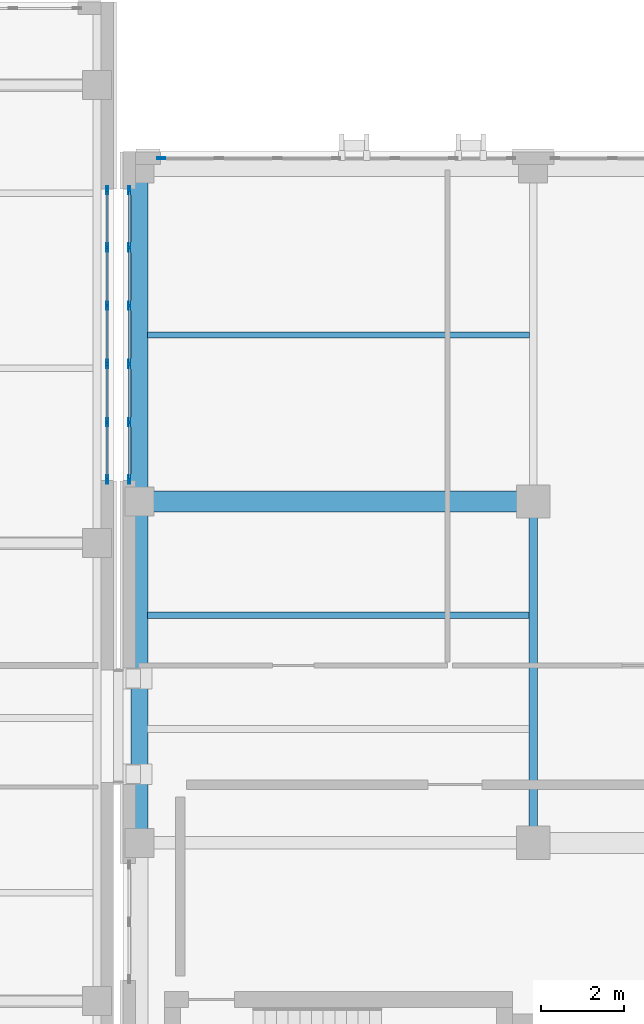
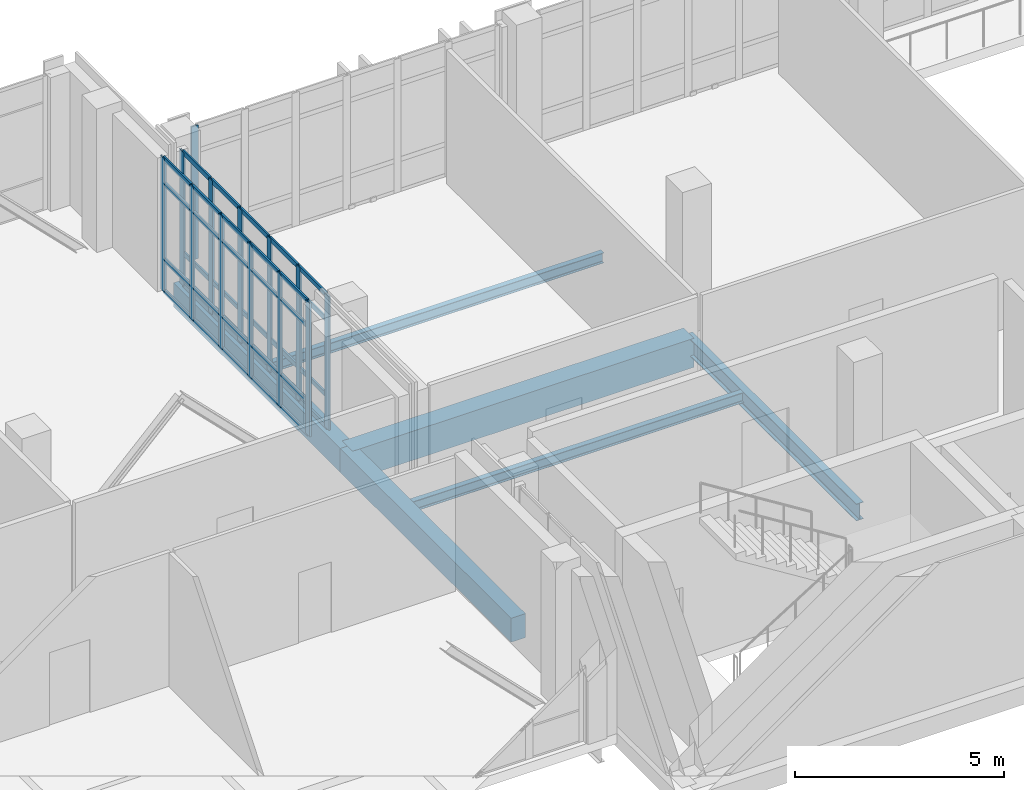
# One storey, part 13 of 193: 53 members, 6 beams, 3 elements without a shape of their own.
"""IFC4 building model written with IfcOpenShell, lengths in metres."""

import ifcopenshell
import ifcopenshell.guid

model = None  # the IFC model being written
_history = None  # IfcOwnerHistory: only IFC2X3 demands one
_inside = {}  # id of a spatial element -> (the spatial element, [elements in it])
_under = {}  # id of a project, library or spatial element -> (it, [spatial elements below it])
_declared = {}  # id of a project -> (the project, [libraries it declares])
_typed = {}  # id of a type object -> (the type object, [elements of that type])
_made_of = {}  # id of a material, layer set ... -> (it, [elements and type objects made of it])


def new_model(schema):
    """Start an empty IFC model of exactly this schema.

    Asked for "IFC4X3", IfcOpenShell would pick the latest addendum, in which some entities
    have other attributes; the version numbers below select the first issue.
    IFC2X3 requires an IfcOwnerHistory on every rooted entity: one is made here for all.
    """
    global model, _history
    if schema == "IFC4X3":
        model = ifcopenshell.file(schema_version=(4, 3, 0, 0))
    else:
        model = ifcopenshell.file(schema=schema)
    _inside.clear()
    _under.clear()
    _declared.clear()
    _typed.clear()
    _made_of.clear()
    _history = None
    if model.schema == "IFC2X3":
        org = make("IfcOrganization", Name="unknown")
        user = make(
            "IfcPersonAndOrganization",
            ThePerson=make("IfcPerson", FamilyName="unknown"),
            TheOrganization=org,
        )
        app = make(
            "IfcApplication",
            ApplicationDeveloper=org,
            Version="unknown",
            ApplicationFullName="unknown",
            ApplicationIdentifier="unknown",
        )
        _history = make(
            "IfcOwnerHistory",
            OwningUser=user,
            OwningApplication=app,
            ChangeAction="ADDED",
            CreationDate=0,
        )
    return model


def make(cls, **values):
    """One entity of the class cls with the attributes given. An attribute that is None is left unset."""
    return model.create_entity(
        cls, **{name: value for name, value in values.items() if value is not None}
    )


def rooted(cls, **values):
    """An entity with a GlobalId (a new one), such as an element, a storey or a relation."""
    return make(cls, GlobalId=ifcopenshell.guid.new(), OwnerHistory=_history, **values)


def si_unit(unit_type, name, prefix=None):
    """IfcSIUnit, for example si_unit("LENGTHUNIT", "METRE", prefix="MILLI")."""
    return make("IfcSIUnit", UnitType=unit_type, Prefix=prefix, Name=name)


def assignment(units):
    """IfcUnitAssignment: the units of a project."""
    return None if units is None else make("IfcUnitAssignment", Units=units)


def point(xyz):
    """IfcCartesianPoint."""
    return None if xyz is None else make("IfcCartesianPoint", Coordinates=xyz)


def direction(xyz):
    """IfcDirection."""
    return None if xyz is None else make("IfcDirection", DirectionRatios=xyz)


def frame(location, z_axis=None, x_axis=None):
    """IfcAxis2Placement3D, a coordinate frame: its origin and axes. An axis left out is left unset."""
    return make(
        "IfcAxis2Placement3D",
        Location=point(location),
        Axis=direction(z_axis),
        RefDirection=direction(x_axis),
    )


def frame_2d(location, x_axis=None):
    """IfcAxis2Placement2D, a coordinate frame in the plane: its origin and x axis."""
    return make(
        "IfcAxis2Placement2D", Location=point(location), RefDirection=direction(x_axis)
    )


def origin():
    """The frame at (0, 0, 0) with its axes left unset."""
    return frame((0.0, 0.0, 0.0))


def origin_2d():
    """The frame at (0, 0) in the plane with its x axis left unset."""
    return frame_2d((0.0, 0.0))


def place(relative_to, where):
    """IfcLocalPlacement: puts the frame where relative to a parent placement (None: the world)."""
    return make(
        "IfcLocalPlacement", PlacementRelTo=relative_to, RelativePlacement=where
    )


def context(
    kind, dimensions, precision=None, world=None, true_north=None, identifier=None
):
    """IfcGeometricRepresentationContext, for example the 3D "Model" context."""
    return make(
        "IfcGeometricRepresentationContext",
        ContextIdentifier=identifier,
        ContextType=kind,
        CoordinateSpaceDimension=dimensions,
        Precision=precision,
        WorldCoordinateSystem=world,
        TrueNorth=true_north,
    )


def subcontext(parent, identifier, kind, view, scale=None):
    """IfcGeometricRepresentationSubContext, for example "Body" below "Model"."""
    return make(
        "IfcGeometricRepresentationSubContext",
        ContextIdentifier=identifier,
        ContextType=kind,
        ParentContext=parent,
        TargetScale=scale,
        TargetView=view,
    )


def project(units=None, contexts=None):
    """IfcProject with its units and contexts."""
    return rooted(
        "IfcProject",
        Name="project",
        RepresentationContexts=contexts,
        UnitsInContext=assignment(units),
    )


def spatial(cls, under=None, at=None, **own):
    """A site, building, storey or space (cls), placed at a placement, below another one or the project."""
    s = rooted(cls, ObjectPlacement=at, **own)
    if under is not None:
        _under.setdefault(under.id(), (under, []))[1].append(s)
    return s


def profile(cls, at=None, kind="AREA", **sizes):
    """A parametric profile (cls). Its sizes go by their IFC names, for example OverallWidth=200.0."""
    return make(cls, ProfileType=kind, Position=at, **sizes)


def rectangle(**sizes):
    """IfcRectangleProfileDef."""
    return profile("IfcRectangleProfileDef", **sizes)


def hollow_rectangle(**sizes):
    """IfcRectangleHollowProfileDef."""
    return profile("IfcRectangleHollowProfileDef", **sizes)


def i_section(**sizes):
    """IfcIShapeProfileDef."""
    return profile("IfcIShapeProfileDef", **sizes)


def extrude(swept, where, along, depth):
    """IfcExtrudedAreaSolid: the profile swept, set in the frame where, extruded along a direction by depth."""
    return make(
        "IfcExtrudedAreaSolid",
        SweptArea=swept,
        Position=where,
        ExtrudedDirection=direction(along),
        Depth=depth,
    )


def shape(context_of_items, identifier, shape_type, items):
    """IfcShapeRepresentation: the items that make up one representation, for example the "Body"."""
    return make(
        "IfcShapeRepresentation",
        ContextOfItems=context_of_items,
        RepresentationIdentifier=identifier,
        RepresentationType=shape_type,
        Items=items,
    )


def material(Name=None, Category=None):
    """IfcMaterial."""
    return make("IfcMaterial", Name=Name, Category=Category)


def layer(
    of_material, thickness, ventilated=None, Name=None, Category=None, Priority=None
):
    """IfcMaterialLayer: one layer of a wall or slab, of a material (None: an air gap)."""
    return make(
        "IfcMaterialLayer",
        Material=of_material,
        LayerThickness=thickness,
        IsVentilated=ventilated,
        Name=Name,
        Category=Category,
        Priority=Priority,
    )


def layer_set(layers, Name=None):
    """IfcMaterialLayerSet."""
    return make("IfcMaterialLayerSet", MaterialLayers=layers, LayerSetName=Name)


def material_profile(
    of_material, cross_section, Name=None, Category=None, Priority=None
):
    """IfcMaterialProfile: a cross section and its material."""
    return make(
        "IfcMaterialProfile",
        Name=Name,
        Material=of_material,
        Profile=cross_section,
        Priority=Priority,
        Category=Category,
    )


def profile_set(profiles, Name=None, composite=None):
    """IfcMaterialProfileSet."""
    return make(
        "IfcMaterialProfileSet",
        Name=Name,
        MaterialProfiles=profiles,
        CompositeProfile=composite,
    )


def made_of(thing, what):
    """Note that an element or type object is made of a material, layer set ...; save() writes the relation."""
    if what is not None:
        _made_of.setdefault(what.id(), (what, []))[1].append(thing)
    return thing


def type_object(cls, material=None, **own):
    """A type object (cls), such as IfcWallType, which elements share."""
    return made_of(rooted(cls, **own), material)


def element(
    cls,
    number,
    at=None,
    inside=None,
    cuts=None,
    type_object=None,
    material=None,
    context=None,
    identifier="Body",
    shape_type=None,
    held_by="IfcProductDefinitionShape",
    body=None,
    shapes=None,
    **own,
):
    """One element of the class cls, such as IfcWall. Its Tag is "e" and its number.

    at: its placement. inside: the storey or other place that contains it. cuts: it is an
    opening in that element (IfcRelVoidsElement). A single representation is given by context,
    identifier, shape_type and body (its items); several are given by shapes. held_by: the class
    of the entity that holds the representations. save() writes the other relations.
    """
    e = rooted(cls, Tag="e%d" % number, ObjectPlacement=at, **own)
    if body is not None:
        shapes = [shape(context, identifier, shape_type, body)]
    if shapes is not None:
        e.Representation = make(held_by, Representations=shapes)
    if inside is not None:
        _inside.setdefault(inside.id(), (inside, []))[1].append(e)
    if cuts is not None:
        rooted(
            "IfcRelVoidsElement", RelatingBuildingElement=cuts, RelatedOpeningElement=e
        )
    if type_object is not None:
        _typed.setdefault(type_object.id(), (type_object, []))[1].append(e)
    return made_of(e, material)


def aggregate(whole, parts):
    """IfcRelAggregates: a whole, such as a stair, and the parts it consists of."""
    return rooted("IfcRelAggregates", RelatingObject=whole, RelatedObjects=parts)


def save(model, path):
    """Write the relations noted so far, then the file.

    IfcRelAggregates (storeys below a building ...), IfcRelContainedInSpatialStructure (elements
    in a storey), IfcRelDefinesByType, IfcRelAssociatesMaterial and IfcRelDeclares: one each for
    every whole, place, type object, material and project.
    """
    for whole, parts in _under.values():
        aggregate(whole, parts)
    for where, things in _inside.values():
        rooted(
            "IfcRelContainedInSpatialStructure",
            RelatedElements=things,
            RelatingStructure=where,
        )
    for kind, things in _typed.values():
        rooted("IfcRelDefinesByType", RelatedObjects=things, RelatingType=kind)
    for what, things in _made_of.values():
        rooted("IfcRelAssociatesMaterial", RelatedObjects=things, RelatingMaterial=what)
    for by, libraries in _declared.values():
        rooted("IfcRelDeclares", RelatingContext=by, RelatedDefinitions=libraries)
    model.write(path)


model = new_model("IFC4")

# Units and contexts
model_context = context("Model", 3, precision=1e-05, world=origin(), true_north=direction((0.0, 1.0)))
body_context = subcontext(model_context, "Body", "Model", "MODEL_VIEW")
ifc_project = project(units=[si_unit("LENGTHUNIT", "METRE"), si_unit("AREAUNIT", "SQUARE_METRE"), si_unit("VOLUMEUNIT", "CUBIC_METRE"), si_unit("PLANEANGLEUNIT", "RADIAN"), si_unit("MASSUNIT", "GRAM", prefix="KILO")], contexts=[model_context])

# Site, building, storey
site_placement = place(None, origin())
site = spatial("IfcSite", under=ifc_project, at=site_placement, CompositionType="ELEMENT")
building_placement = place(site_placement, origin())
building = spatial("IfcBuilding", under=site, at=building_placement, Name="Qalavern Law Courts", CompositionType="ELEMENT")
storey_placement = place(building_placement, frame((0.0, 0.0, 10.199951171875)))
storey = spatial("IfcBuildingStorey", under=building, at=storey_placement, Name="L02", CompositionType="ELEMENT", Elevation=10.199951171875)

# Curtain wall, members
ifc_material_1 = material(Name="Anodised aluminium and insulated glazing", Category="aluminium")
ifc_layer_1 = layer(ifc_material_1, 0.199951171875)
ifc_layer_set_1 = layer_set([ifc_layer_1], Name="Anodised aluminium and insulated glazing")
curtain_wall_type_1 = type_object("IfcCurtainWallType", Name="ENV-CW-FOYER", PredefinedType="USERDEFINED", material=ifc_layer_set_1)
curtain_wall_1_placement = place(storey_placement, origin())
curtain_wall_1 = element("IfcCurtainWall", 1, at=curtain_wall_1_placement, inside=storey, type_object=curtain_wall_type_1, Name="V1 unitised curtain wall L02 east 1", ObjectType="UNITISED CURTAIN WALL", PredefinedType="USERDEFINED")
ifc_material_2 = material(Name="Anodised aluminium", Category="aluminium")
ifc_material_profile_1 = material_profile(ifc_material_2, hollow_rectangle(XDim=0.048095703125, YDim=0.199951171875, WallThickness=0.00439453125, at=origin_2d()), Name="ALU MULLION 48x200")
ifc_profile_set_1 = profile_set([ifc_material_profile_1], Name="Anodised aluminium")
member_type_1 = type_object("IfcMemberType", Name="ENV-CWM-48x200", PredefinedType="MULLION", material=ifc_profile_set_1)
member_1_placement = place(storey_placement, frame((33.844970703125, 22.52392578125, 0.0), z_axis=(0.0, 0.0, 1.0), x_axis=(-1.0, 0.0, 0.0)))
member_1 = element("IfcMember", 2, at=member_1_placement, type_object=member_type_1, Name="CW-01 mullion 1", PredefinedType="MULLION", context=body_context, shape_type="SweptSolid", body=[
    extrude(hollow_rectangle(XDim=0.048095703125, YDim=0.199951171875, WallThickness=0.00439453125, at=origin_2d()), origin(), (0.0, 0.0, 1.0), 3.9150390625),
])
member_2_placement = place(storey_placement, frame((33.844970703125, 23.89990234375, 0.0), z_axis=(0.0, 0.0, 1.0), x_axis=(-1.0, 0.0, 0.0)))
member_2 = element("IfcMember", 3, at=member_2_placement, type_object=member_type_1, Name="CW-01 mullion 2", PredefinedType="MULLION", context=body_context, shape_type="SweptSolid", body=[
    extrude(hollow_rectangle(XDim=0.048095703125, YDim=0.199951171875, WallThickness=0.00439453125, at=origin_2d()), origin(), (0.0, 0.0, 1.0), 3.9150390625),
])
member_3_placement = place(storey_placement, frame((33.844970703125, 25.300048828125, 0.0), z_axis=(0.0, 0.0, 1.0), x_axis=(-1.0, 0.0, 0.0)))
member_3 = element("IfcMember", 4, at=member_3_placement, type_object=member_type_1, Name="CW-01 mullion 3", PredefinedType="MULLION", context=body_context, shape_type="SweptSolid", body=[
    extrude(hollow_rectangle(XDim=0.048095703125, YDim=0.199951171875, WallThickness=0.00439453125, at=origin_2d()), origin(), (0.0, 0.0, 1.0), 3.9150390625),
])
member_4_placement = place(storey_placement, frame((33.844970703125, 26.699951171875, 0.0), z_axis=(0.0, 0.0, 1.0), x_axis=(-1.0, 0.0, 0.0)))
member_4 = element("IfcMember", 5, at=member_4_placement, type_object=member_type_1, Name="CW-01 mullion 4", PredefinedType="MULLION", context=body_context, shape_type="SweptSolid", body=[
    extrude(hollow_rectangle(XDim=0.048095703125, YDim=0.199951171875, WallThickness=0.00439453125, at=origin_2d()), origin(), (0.0, 0.0, 1.0), 3.9150390625),
])
member_5_placement = place(storey_placement, frame((33.844970703125, 28.10009765625, 0.0), z_axis=(0.0, 0.0, 1.0), x_axis=(-1.0, 0.0, 0.0)))
member_5 = element("IfcMember", 6, at=member_5_placement, type_object=member_type_1, Name="CW-01 mullion 5", PredefinedType="MULLION", context=body_context, shape_type="SweptSolid", body=[
    extrude(hollow_rectangle(XDim=0.048095703125, YDim=0.199951171875, WallThickness=0.00439453125, at=origin_2d()), origin(), (0.0, 0.0, 1.0), 3.9150390625),
])
member_6_placement = place(storey_placement, frame((33.844970703125, 29.47607421875, 0.0), z_axis=(0.0, 0.0, 1.0), x_axis=(-1.0, 0.0, 0.0)))
member_6 = element("IfcMember", 7, at=member_6_placement, type_object=member_type_1, Name="CW-01 mullion 6", PredefinedType="MULLION", context=body_context, shape_type="SweptSolid", body=[
    extrude(hollow_rectangle(XDim=0.048095703125, YDim=0.199951171875, WallThickness=0.00439453125, at=origin_2d()), origin(), (0.0, 0.0, 1.0), 3.9150390625),
])

# Curtain wall, member
ifc_layer_2 = layer(ifc_material_1, 0.18505859375)
ifc_layer_set_2 = layer_set([ifc_layer_2], Name="Anodised aluminium and insulated glazing")
curtain_wall_type_2 = type_object("IfcCurtainWallType", Name="ENV-CW-HALL", PredefinedType="USERDEFINED", material=ifc_layer_set_2)
curtain_wall_2_placement = place(storey_placement, origin())
curtain_wall_2 = element("IfcCurtainWall", 8, at=curtain_wall_2_placement, inside=storey, type_object=curtain_wall_type_2, Name="V2 unitised curtain wall L02 north 6", ObjectType="UNITISED CURTAIN WALL", PredefinedType="USERDEFINED")
member_7_placement = place(storey_placement, frame((35.14404296875, 30.2451171875, 0.0), z_axis=(0.0, 0.0, 1.0), x_axis=(0.0, -1.0, 0.0)))
member_7 = element("IfcMember", 9, at=member_7_placement, type_object=member_type_1, Name="CW-02 mullion 7", PredefinedType="MULLION", context=body_context, shape_type="SweptSolid", body=[
    extrude(hollow_rectangle(XDim=0.048095703125, YDim=0.199951171875, WallThickness=0.00439453125, at=origin_2d()), origin(), (0.0, 0.0, 1.0), 3.9150390625),
])
aggregate(curtain_wall_2, [member_7])

# Curtain wall, members
curtain_wall_3_placement = place(storey_placement, origin())
curtain_wall_3 = element("IfcCurtainWall", 10, at=curtain_wall_3_placement, inside=storey, type_object=curtain_wall_type_2, Name="V2 unitised curtain wall L02 west 1", ObjectType="UNITISED CURTAIN WALL", PredefinedType="USERDEFINED")
member_8_placement = place(storey_placement, frame((34.375, 29.47607421875, 0.0), z_axis=(0.0, 0.0, 1.0), x_axis=(1.0, 0.0, 0.0)))
member_8 = element("IfcMember", 11, at=member_8_placement, type_object=member_type_1, Name="CW-02 mullion 1", PredefinedType="MULLION", context=body_context, shape_type="SweptSolid", body=[
    extrude(hollow_rectangle(XDim=0.048095703125, YDim=0.199951171875, WallThickness=0.00439453125, at=origin_2d()), origin(), (0.0, 0.0, 1.0), 3.9150390625),
])
member_9_placement = place(storey_placement, frame((34.375, 28.10009765625, 0.0), z_axis=(0.0, 0.0, 1.0), x_axis=(1.0, 0.0, 0.0)))
member_9 = element("IfcMember", 12, at=member_9_placement, type_object=member_type_1, Name="CW-02 mullion 2", PredefinedType="MULLION", context=body_context, shape_type="SweptSolid", body=[
    extrude(hollow_rectangle(XDim=0.048095703125, YDim=0.199951171875, WallThickness=0.00439453125, at=origin_2d()), origin(), (0.0, 0.0, 1.0), 3.9150390625),
])
member_10_placement = place(storey_placement, frame((34.375, 26.699951171875, 0.0), z_axis=(0.0, 0.0, 1.0), x_axis=(1.0, 0.0, 0.0)))
member_10 = element("IfcMember", 13, at=member_10_placement, type_object=member_type_1, Name="CW-02 mullion 3", PredefinedType="MULLION", context=body_context, shape_type="SweptSolid", body=[
    extrude(hollow_rectangle(XDim=0.048095703125, YDim=0.199951171875, WallThickness=0.00439453125, at=origin_2d()), origin(), (0.0, 0.0, 1.0), 3.9150390625),
])
member_11_placement = place(storey_placement, frame((34.375, 25.300048828125, 0.0), z_axis=(0.0, 0.0, 1.0), x_axis=(1.0, 0.0, 0.0)))
member_11 = element("IfcMember", 14, at=member_11_placement, type_object=member_type_1, Name="CW-02 mullion 4", PredefinedType="MULLION", context=body_context, shape_type="SweptSolid", body=[
    extrude(hollow_rectangle(XDim=0.048095703125, YDim=0.199951171875, WallThickness=0.00439453125, at=origin_2d()), origin(), (0.0, 0.0, 1.0), 3.9150390625),
])
member_12_placement = place(storey_placement, frame((34.375, 23.89990234375, 0.0), z_axis=(0.0, 0.0, 1.0), x_axis=(1.0, 0.0, 0.0)))
member_12 = element("IfcMember", 15, at=member_12_placement, type_object=member_type_1, Name="CW-02 mullion 5", PredefinedType="MULLION", context=body_context, shape_type="SweptSolid", body=[
    extrude(hollow_rectangle(XDim=0.048095703125, YDim=0.199951171875, WallThickness=0.00439453125, at=origin_2d()), origin(), (0.0, 0.0, 1.0), 3.9150390625),
])
member_13_placement = place(storey_placement, frame((34.375, 22.52392578125, 0.0), z_axis=(0.0, 0.0, 1.0), x_axis=(1.0, 0.0, 0.0)))
member_13 = element("IfcMember", 16, at=member_13_placement, type_object=member_type_1, Name="CW-02 mullion 6", PredefinedType="MULLION", context=body_context, shape_type="SweptSolid", body=[
    extrude(hollow_rectangle(XDim=0.048095703125, YDim=0.199951171875, WallThickness=0.00439453125, at=origin_2d()), origin(), (0.0, 0.0, 1.0), 3.9150390625),
])

# Member
ifc_material_profile_2 = material_profile(ifc_material_2, hollow_rectangle(XDim=0.048095703125, YDim=0.139892578125, WallThickness=0.00390625, at=origin_2d()), Name="ALU TRANSOM 48x140")
ifc_profile_set_2 = profile_set([ifc_material_profile_2], Name="Anodised aluminium")
member_type_2 = type_object("IfcMemberType", Name="ENV-CWT-48x140", PredefinedType="USERDEFINED", material=ifc_profile_set_2)
member_14_placement = place(storey_placement, frame((33.844970703125, 22.548095703125, 0.024169921875), z_axis=(0.0, 1.0, 0.0), x_axis=(-1.0, 0.0, 0.0)))
member_14 = element("IfcMember", 17, at=member_14_placement, type_object=member_type_2, Name="CW-01 transom 1.1", ObjectType="TRANSOM", PredefinedType="USERDEFINED", context=body_context, shape_type="SweptSolid", body=[
    extrude(hollow_rectangle(XDim=0.048095703125, YDim=0.139892578125, WallThickness=0.00390625, at=origin_2d()), origin(), (0.0, 0.0, 1.0), 1.327880859375),
])

member_15_placement = place(storey_placement, frame((33.844970703125, 22.548095703125, 0.949951171875), z_axis=(0.0, 1.0, 0.0), x_axis=(-1.0, 0.0, 0.0)))
member_15 = element("IfcMember", 18, at=member_15_placement, type_object=member_type_2, Name="CW-01 transom 1.2", ObjectType="TRANSOM", PredefinedType="USERDEFINED", context=body_context, shape_type="SweptSolid", body=[
    extrude(hollow_rectangle(XDim=0.048095703125, YDim=0.139892578125, WallThickness=0.00390625, at=origin_2d()), origin(), (0.0, 0.0, 1.0), 1.327880859375),
])

member_16_placement = place(storey_placement, frame((33.844970703125, 22.548095703125, 3.1650390625), z_axis=(0.0, 1.0, 0.0), x_axis=(-1.0, 0.0, 0.0)))
member_16 = element("IfcMember", 19, at=member_16_placement, type_object=member_type_2, Name="CW-01 transom 1.3", ObjectType="TRANSOM", PredefinedType="USERDEFINED", context=body_context, shape_type="SweptSolid", body=[
    extrude(hollow_rectangle(XDim=0.048095703125, YDim=0.139892578125, WallThickness=0.00390625, at=origin_2d()), origin(), (0.0, 0.0, 1.0), 1.327880859375),
])

member_17_placement = place(storey_placement, frame((33.844970703125, 22.548095703125, 3.89111328125), z_axis=(0.0, 1.0, 0.0), x_axis=(-1.0, 0.0, 0.0)))
member_17 = element("IfcMember", 20, at=member_17_placement, type_object=member_type_2, Name="CW-01 transom 1.4", ObjectType="TRANSOM", PredefinedType="USERDEFINED", context=body_context, shape_type="SweptSolid", body=[
    extrude(hollow_rectangle(XDim=0.048095703125, YDim=0.139892578125, WallThickness=0.00390625, at=origin_2d()), origin(), (0.0, 0.0, 1.0), 1.327880859375),
])

member_18_placement = place(storey_placement, frame((33.844970703125, 23.924072265625, 0.024169921875), z_axis=(0.0, 1.0, 0.0), x_axis=(-1.0, 0.0, 0.0)))
member_18 = element("IfcMember", 21, at=member_18_placement, type_object=member_type_2, Name="CW-01 transom 2.1", ObjectType="TRANSOM", PredefinedType="USERDEFINED", context=body_context, shape_type="SweptSolid", body=[
    extrude(hollow_rectangle(XDim=0.048095703125, YDim=0.139892578125, WallThickness=0.00390625, at=origin_2d()), origin(), (0.0, 0.0, 1.0), 1.351806640625),
])

member_19_placement = place(storey_placement, frame((33.844970703125, 23.924072265625, 0.949951171875), z_axis=(0.0, 1.0, 0.0), x_axis=(-1.0, 0.0, 0.0)))
member_19 = element("IfcMember", 22, at=member_19_placement, type_object=member_type_2, Name="CW-01 transom 2.2", ObjectType="TRANSOM", PredefinedType="USERDEFINED", context=body_context, shape_type="SweptSolid", body=[
    extrude(hollow_rectangle(XDim=0.048095703125, YDim=0.139892578125, WallThickness=0.00390625, at=origin_2d()), origin(), (0.0, 0.0, 1.0), 1.351806640625),
])

member_20_placement = place(storey_placement, frame((33.844970703125, 23.924072265625, 3.1650390625), z_axis=(0.0, 1.0, 0.0), x_axis=(-1.0, 0.0, 0.0)))
member_20 = element("IfcMember", 23, at=member_20_placement, type_object=member_type_2, Name="CW-01 transom 2.3", ObjectType="TRANSOM", PredefinedType="USERDEFINED", context=body_context, shape_type="SweptSolid", body=[
    extrude(hollow_rectangle(XDim=0.048095703125, YDim=0.139892578125, WallThickness=0.00390625, at=origin_2d()), origin(), (0.0, 0.0, 1.0), 1.351806640625),
])

member_21_placement = place(storey_placement, frame((33.844970703125, 23.924072265625, 3.89111328125), z_axis=(0.0, 1.0, 0.0), x_axis=(-1.0, 0.0, 0.0)))
member_21 = element("IfcMember", 24, at=member_21_placement, type_object=member_type_2, Name="CW-01 transom 2.4", ObjectType="TRANSOM", PredefinedType="USERDEFINED", context=body_context, shape_type="SweptSolid", body=[
    extrude(hollow_rectangle(XDim=0.048095703125, YDim=0.139892578125, WallThickness=0.00390625, at=origin_2d()), origin(), (0.0, 0.0, 1.0), 1.351806640625),
])

member_22_placement = place(storey_placement, frame((33.844970703125, 25.323974609375, 0.024169921875), z_axis=(0.0, 1.0, 0.0), x_axis=(-1.0, 0.0, 0.0)))
member_22 = element("IfcMember", 25, at=member_22_placement, type_object=member_type_2, Name="CW-01 transom 3.1", ObjectType="TRANSOM", PredefinedType="USERDEFINED", context=body_context, shape_type="SweptSolid", body=[
    extrude(hollow_rectangle(XDim=0.048095703125, YDim=0.139892578125, WallThickness=0.00390625, at=origin_2d()), origin(), (0.0, 0.0, 1.0), 1.35205078125),
])

member_23_placement = place(storey_placement, frame((33.844970703125, 25.323974609375, 0.949951171875), z_axis=(0.0, 1.0, 0.0), x_axis=(-1.0, 0.0, 0.0)))
member_23 = element("IfcMember", 26, at=member_23_placement, type_object=member_type_2, Name="CW-01 transom 3.2", ObjectType="TRANSOM", PredefinedType="USERDEFINED", context=body_context, shape_type="SweptSolid", body=[
    extrude(hollow_rectangle(XDim=0.048095703125, YDim=0.139892578125, WallThickness=0.00390625, at=origin_2d()), origin(), (0.0, 0.0, 1.0), 1.35205078125),
])

member_24_placement = place(storey_placement, frame((33.844970703125, 25.323974609375, 3.1650390625), z_axis=(0.0, 1.0, 0.0), x_axis=(-1.0, 0.0, 0.0)))
member_24 = element("IfcMember", 27, at=member_24_placement, type_object=member_type_2, Name="CW-01 transom 3.3", ObjectType="TRANSOM", PredefinedType="USERDEFINED", context=body_context, shape_type="SweptSolid", body=[
    extrude(hollow_rectangle(XDim=0.048095703125, YDim=0.139892578125, WallThickness=0.00390625, at=origin_2d()), origin(), (0.0, 0.0, 1.0), 1.35205078125),
])

member_25_placement = place(storey_placement, frame((33.844970703125, 25.323974609375, 3.89111328125), z_axis=(0.0, 1.0, 0.0), x_axis=(-1.0, 0.0, 0.0)))
member_25 = element("IfcMember", 28, at=member_25_placement, type_object=member_type_2, Name="CW-01 transom 3.4", ObjectType="TRANSOM", PredefinedType="USERDEFINED", context=body_context, shape_type="SweptSolid", body=[
    extrude(hollow_rectangle(XDim=0.048095703125, YDim=0.139892578125, WallThickness=0.00390625, at=origin_2d()), origin(), (0.0, 0.0, 1.0), 1.35205078125),
])

member_26_placement = place(storey_placement, frame((33.844970703125, 26.72412109375, 0.024169921875), z_axis=(0.0, 1.0, 0.0), x_axis=(-1.0, 0.0, 0.0)))
member_26 = element("IfcMember", 29, at=member_26_placement, type_object=member_type_2, Name="CW-01 transom 4.1", ObjectType="TRANSOM", PredefinedType="USERDEFINED", context=body_context, shape_type="SweptSolid", body=[
    extrude(hollow_rectangle(XDim=0.048095703125, YDim=0.139892578125, WallThickness=0.00390625, at=origin_2d()), origin(), (0.0, 0.0, 1.0), 1.351806640625),
])

member_27_placement = place(storey_placement, frame((33.844970703125, 26.72412109375, 0.949951171875), z_axis=(0.0, 1.0, 0.0), x_axis=(-1.0, 0.0, 0.0)))
member_27 = element("IfcMember", 30, at=member_27_placement, type_object=member_type_2, Name="CW-01 transom 4.2", ObjectType="TRANSOM", PredefinedType="USERDEFINED", context=body_context, shape_type="SweptSolid", body=[
    extrude(hollow_rectangle(XDim=0.048095703125, YDim=0.139892578125, WallThickness=0.00390625, at=origin_2d()), origin(), (0.0, 0.0, 1.0), 1.351806640625),
])

member_28_placement = place(storey_placement, frame((33.844970703125, 26.72412109375, 3.1650390625), z_axis=(0.0, 1.0, 0.0), x_axis=(-1.0, 0.0, 0.0)))
member_28 = element("IfcMember", 31, at=member_28_placement, type_object=member_type_2, Name="CW-01 transom 4.3", ObjectType="TRANSOM", PredefinedType="USERDEFINED", context=body_context, shape_type="SweptSolid", body=[
    extrude(hollow_rectangle(XDim=0.048095703125, YDim=0.139892578125, WallThickness=0.00390625, at=origin_2d()), origin(), (0.0, 0.0, 1.0), 1.351806640625),
])

member_29_placement = place(storey_placement, frame((33.844970703125, 26.72412109375, 3.89111328125), z_axis=(0.0, 1.0, 0.0), x_axis=(-1.0, 0.0, 0.0)))
member_29 = element("IfcMember", 32, at=member_29_placement, type_object=member_type_2, Name="CW-01 transom 4.4", ObjectType="TRANSOM", PredefinedType="USERDEFINED", context=body_context, shape_type="SweptSolid", body=[
    extrude(hollow_rectangle(XDim=0.048095703125, YDim=0.139892578125, WallThickness=0.00390625, at=origin_2d()), origin(), (0.0, 0.0, 1.0), 1.351806640625),
])

member_30_placement = place(storey_placement, frame((33.844970703125, 28.1240234375, 0.024169921875), z_axis=(0.0, 1.0, 0.0), x_axis=(-1.0, 0.0, 0.0)))
member_30 = element("IfcMember", 33, at=member_30_placement, type_object=member_type_2, Name="CW-01 transom 5.1", ObjectType="TRANSOM", PredefinedType="USERDEFINED", context=body_context, shape_type="SweptSolid", body=[
    extrude(hollow_rectangle(XDim=0.048095703125, YDim=0.139892578125, WallThickness=0.00390625, at=origin_2d()), origin(), (0.0, 0.0, 1.0), 1.327880859375),
])

member_31_placement = place(storey_placement, frame((33.844970703125, 28.1240234375, 0.949951171875), z_axis=(0.0, 1.0, 0.0), x_axis=(-1.0, 0.0, 0.0)))
member_31 = element("IfcMember", 34, at=member_31_placement, type_object=member_type_2, Name="CW-01 transom 5.2", ObjectType="TRANSOM", PredefinedType="USERDEFINED", context=body_context, shape_type="SweptSolid", body=[
    extrude(hollow_rectangle(XDim=0.048095703125, YDim=0.139892578125, WallThickness=0.00390625, at=origin_2d()), origin(), (0.0, 0.0, 1.0), 1.327880859375),
])

member_32_placement = place(storey_placement, frame((33.844970703125, 28.1240234375, 3.1650390625), z_axis=(0.0, 1.0, 0.0), x_axis=(-1.0, 0.0, 0.0)))
member_32 = element("IfcMember", 35, at=member_32_placement, type_object=member_type_2, Name="CW-01 transom 5.3", ObjectType="TRANSOM", PredefinedType="USERDEFINED", context=body_context, shape_type="SweptSolid", body=[
    extrude(hollow_rectangle(XDim=0.048095703125, YDim=0.139892578125, WallThickness=0.00390625, at=origin_2d()), origin(), (0.0, 0.0, 1.0), 1.327880859375),
])

member_33_placement = place(storey_placement, frame((33.844970703125, 28.1240234375, 3.89111328125), z_axis=(0.0, 1.0, 0.0), x_axis=(-1.0, 0.0, 0.0)))
member_33 = element("IfcMember", 36, at=member_33_placement, type_object=member_type_2, Name="CW-01 transom 5.4", ObjectType="TRANSOM", PredefinedType="USERDEFINED", context=body_context, shape_type="SweptSolid", body=[
    extrude(hollow_rectangle(XDim=0.048095703125, YDim=0.139892578125, WallThickness=0.00390625, at=origin_2d()), origin(), (0.0, 0.0, 1.0), 1.327880859375),
])

aggregate(curtain_wall_1, [member_1, member_2, member_3, member_4, member_5, member_6, member_14, member_15, member_16, member_17, member_18, member_19, member_20, member_21, member_22, member_23, member_24, member_25, member_26, member_27, member_28, member_29, member_30, member_31, member_32, member_33])

member_34_placement = place(storey_placement, frame((34.375, 29.451904296875, 0.024169921875), z_axis=(0.0, -1.0, 0.0), x_axis=(1.0, 0.0, 0.0)))
member_34 = element("IfcMember", 37, at=member_34_placement, type_object=member_type_2, Name="CW-02 transom 1.1", ObjectType="TRANSOM", PredefinedType="USERDEFINED", context=body_context, shape_type="SweptSolid", body=[
    extrude(hollow_rectangle(XDim=0.048095703125, YDim=0.139892578125, WallThickness=0.00390625, at=origin_2d()), origin(), (0.0, 0.0, 1.0), 1.327880859375),
])

member_35_placement = place(storey_placement, frame((34.375, 29.451904296875, 0.949951171875), z_axis=(0.0, -1.0, 0.0), x_axis=(1.0, 0.0, 0.0)))
member_35 = element("IfcMember", 38, at=member_35_placement, type_object=member_type_2, Name="CW-02 transom 1.2", ObjectType="TRANSOM", PredefinedType="USERDEFINED", context=body_context, shape_type="SweptSolid", body=[
    extrude(hollow_rectangle(XDim=0.048095703125, YDim=0.139892578125, WallThickness=0.00390625, at=origin_2d()), origin(), (0.0, 0.0, 1.0), 1.327880859375),
])

member_36_placement = place(storey_placement, frame((34.375, 29.451904296875, 3.1650390625), z_axis=(0.0, -1.0, 0.0), x_axis=(1.0, 0.0, 0.0)))
member_36 = element("IfcMember", 39, at=member_36_placement, type_object=member_type_2, Name="CW-02 transom 1.3", ObjectType="TRANSOM", PredefinedType="USERDEFINED", context=body_context, shape_type="SweptSolid", body=[
    extrude(hollow_rectangle(XDim=0.048095703125, YDim=0.139892578125, WallThickness=0.00390625, at=origin_2d()), origin(), (0.0, 0.0, 1.0), 1.327880859375),
])

member_37_placement = place(storey_placement, frame((34.375, 29.451904296875, 3.89111328125), z_axis=(0.0, -1.0, 0.0), x_axis=(1.0, 0.0, 0.0)))
member_37 = element("IfcMember", 40, at=member_37_placement, type_object=member_type_2, Name="CW-02 transom 1.4", ObjectType="TRANSOM", PredefinedType="USERDEFINED", context=body_context, shape_type="SweptSolid", body=[
    extrude(hollow_rectangle(XDim=0.048095703125, YDim=0.139892578125, WallThickness=0.00390625, at=origin_2d()), origin(), (0.0, 0.0, 1.0), 1.327880859375),
])

member_38_placement = place(storey_placement, frame((34.375, 28.075927734375, 0.024169921875), z_axis=(0.0, -1.0, 0.0), x_axis=(1.0, 0.0, 0.0)))
member_38 = element("IfcMember", 41, at=member_38_placement, type_object=member_type_2, Name="CW-02 transom 2.1", ObjectType="TRANSOM", PredefinedType="USERDEFINED", context=body_context, shape_type="SweptSolid", body=[
    extrude(hollow_rectangle(XDim=0.048095703125, YDim=0.139892578125, WallThickness=0.00390625, at=origin_2d()), origin(), (0.0, 0.0, 1.0), 1.351806640625),
])

member_39_placement = place(storey_placement, frame((34.375, 28.075927734375, 0.949951171875), z_axis=(0.0, -1.0, 0.0), x_axis=(1.0, 0.0, 0.0)))
member_39 = element("IfcMember", 42, at=member_39_placement, type_object=member_type_2, Name="CW-02 transom 2.2", ObjectType="TRANSOM", PredefinedType="USERDEFINED", context=body_context, shape_type="SweptSolid", body=[
    extrude(hollow_rectangle(XDim=0.048095703125, YDim=0.139892578125, WallThickness=0.00390625, at=origin_2d()), origin(), (0.0, 0.0, 1.0), 1.351806640625),
])

member_40_placement = place(storey_placement, frame((34.375, 28.075927734375, 3.1650390625), z_axis=(0.0, -1.0, 0.0), x_axis=(1.0, 0.0, 0.0)))
member_40 = element("IfcMember", 43, at=member_40_placement, type_object=member_type_2, Name="CW-02 transom 2.3", ObjectType="TRANSOM", PredefinedType="USERDEFINED", context=body_context, shape_type="SweptSolid", body=[
    extrude(hollow_rectangle(XDim=0.048095703125, YDim=0.139892578125, WallThickness=0.00390625, at=origin_2d()), origin(), (0.0, 0.0, 1.0), 1.351806640625),
])

member_41_placement = place(storey_placement, frame((34.375, 28.075927734375, 3.89111328125), z_axis=(0.0, -1.0, 0.0), x_axis=(1.0, 0.0, 0.0)))
member_41 = element("IfcMember", 44, at=member_41_placement, type_object=member_type_2, Name="CW-02 transom 2.4", ObjectType="TRANSOM", PredefinedType="USERDEFINED", context=body_context, shape_type="SweptSolid", body=[
    extrude(hollow_rectangle(XDim=0.048095703125, YDim=0.139892578125, WallThickness=0.00390625, at=origin_2d()), origin(), (0.0, 0.0, 1.0), 1.351806640625),
])

member_42_placement = place(storey_placement, frame((34.375, 26.676025390625, 0.024169921875), z_axis=(0.0, -1.0, 0.0), x_axis=(1.0, 0.0, 0.0)))
member_42 = element("IfcMember", 45, at=member_42_placement, type_object=member_type_2, Name="CW-02 transom 3.1", ObjectType="TRANSOM", PredefinedType="USERDEFINED", context=body_context, shape_type="SweptSolid", body=[
    extrude(hollow_rectangle(XDim=0.048095703125, YDim=0.139892578125, WallThickness=0.00390625, at=origin_2d()), origin(), (0.0, 0.0, 1.0), 1.35205078125),
])

member_43_placement = place(storey_placement, frame((34.375, 26.676025390625, 0.949951171875), z_axis=(0.0, -1.0, 0.0), x_axis=(1.0, 0.0, 0.0)))
member_43 = element("IfcMember", 46, at=member_43_placement, type_object=member_type_2, Name="CW-02 transom 3.2", ObjectType="TRANSOM", PredefinedType="USERDEFINED", context=body_context, shape_type="SweptSolid", body=[
    extrude(hollow_rectangle(XDim=0.048095703125, YDim=0.139892578125, WallThickness=0.00390625, at=origin_2d()), origin(), (0.0, 0.0, 1.0), 1.35205078125),
])

member_44_placement = place(storey_placement, frame((34.375, 26.676025390625, 3.1650390625), z_axis=(0.0, -1.0, 0.0), x_axis=(1.0, 0.0, 0.0)))
member_44 = element("IfcMember", 47, at=member_44_placement, type_object=member_type_2, Name="CW-02 transom 3.3", ObjectType="TRANSOM", PredefinedType="USERDEFINED", context=body_context, shape_type="SweptSolid", body=[
    extrude(hollow_rectangle(XDim=0.048095703125, YDim=0.139892578125, WallThickness=0.00390625, at=origin_2d()), origin(), (0.0, 0.0, 1.0), 1.35205078125),
])

member_45_placement = place(storey_placement, frame((34.375, 26.676025390625, 3.89111328125), z_axis=(0.0, -1.0, 0.0), x_axis=(1.0, 0.0, 0.0)))
member_45 = element("IfcMember", 48, at=member_45_placement, type_object=member_type_2, Name="CW-02 transom 3.4", ObjectType="TRANSOM", PredefinedType="USERDEFINED", context=body_context, shape_type="SweptSolid", body=[
    extrude(hollow_rectangle(XDim=0.048095703125, YDim=0.139892578125, WallThickness=0.00390625, at=origin_2d()), origin(), (0.0, 0.0, 1.0), 1.35205078125),
])

member_46_placement = place(storey_placement, frame((34.375, 25.27587890625, 0.024169921875), z_axis=(0.0, -1.0, 0.0), x_axis=(1.0, 0.0, 0.0)))
member_46 = element("IfcMember", 49, at=member_46_placement, type_object=member_type_2, Name="CW-02 transom 4.1", ObjectType="TRANSOM", PredefinedType="USERDEFINED", context=body_context, shape_type="SweptSolid", body=[
    extrude(hollow_rectangle(XDim=0.048095703125, YDim=0.139892578125, WallThickness=0.00390625, at=origin_2d()), origin(), (0.0, 0.0, 1.0), 1.351806640625),
])

member_47_placement = place(storey_placement, frame((34.375, 25.27587890625, 0.949951171875), z_axis=(0.0, -1.0, 0.0), x_axis=(1.0, 0.0, 0.0)))
member_47 = element("IfcMember", 50, at=member_47_placement, type_object=member_type_2, Name="CW-02 transom 4.2", ObjectType="TRANSOM", PredefinedType="USERDEFINED", context=body_context, shape_type="SweptSolid", body=[
    extrude(hollow_rectangle(XDim=0.048095703125, YDim=0.139892578125, WallThickness=0.00390625, at=origin_2d()), origin(), (0.0, 0.0, 1.0), 1.351806640625),
])

member_48_placement = place(storey_placement, frame((34.375, 25.27587890625, 3.1650390625), z_axis=(0.0, -1.0, 0.0), x_axis=(1.0, 0.0, 0.0)))
member_48 = element("IfcMember", 51, at=member_48_placement, type_object=member_type_2, Name="CW-02 transom 4.3", ObjectType="TRANSOM", PredefinedType="USERDEFINED", context=body_context, shape_type="SweptSolid", body=[
    extrude(hollow_rectangle(XDim=0.048095703125, YDim=0.139892578125, WallThickness=0.00390625, at=origin_2d()), origin(), (0.0, 0.0, 1.0), 1.351806640625),
])

member_49_placement = place(storey_placement, frame((34.375, 25.27587890625, 3.89111328125), z_axis=(0.0, -1.0, 0.0), x_axis=(1.0, 0.0, 0.0)))
member_49 = element("IfcMember", 52, at=member_49_placement, type_object=member_type_2, Name="CW-02 transom 4.4", ObjectType="TRANSOM", PredefinedType="USERDEFINED", context=body_context, shape_type="SweptSolid", body=[
    extrude(hollow_rectangle(XDim=0.048095703125, YDim=0.139892578125, WallThickness=0.00390625, at=origin_2d()), origin(), (0.0, 0.0, 1.0), 1.351806640625),
])

member_50_placement = place(storey_placement, frame((34.375, 23.8759765625, 0.024169921875), z_axis=(0.0, -1.0, 0.0), x_axis=(1.0, 0.0, 0.0)))
member_50 = element("IfcMember", 53, at=member_50_placement, type_object=member_type_2, Name="CW-02 transom 5.1", ObjectType="TRANSOM", PredefinedType="USERDEFINED", context=body_context, shape_type="SweptSolid", body=[
    extrude(hollow_rectangle(XDim=0.048095703125, YDim=0.139892578125, WallThickness=0.00390625, at=origin_2d()), origin(), (0.0, 0.0, 1.0), 1.327880859375),
])

member_51_placement = place(storey_placement, frame((34.375, 23.8759765625, 0.949951171875), z_axis=(0.0, -1.0, 0.0), x_axis=(1.0, 0.0, 0.0)))
member_51 = element("IfcMember", 54, at=member_51_placement, type_object=member_type_2, Name="CW-02 transom 5.2", ObjectType="TRANSOM", PredefinedType="USERDEFINED", context=body_context, shape_type="SweptSolid", body=[
    extrude(hollow_rectangle(XDim=0.048095703125, YDim=0.139892578125, WallThickness=0.00390625, at=origin_2d()), origin(), (0.0, 0.0, 1.0), 1.327880859375),
])

member_52_placement = place(storey_placement, frame((34.375, 23.8759765625, 3.1650390625), z_axis=(0.0, -1.0, 0.0), x_axis=(1.0, 0.0, 0.0)))
member_52 = element("IfcMember", 55, at=member_52_placement, type_object=member_type_2, Name="CW-02 transom 5.3", ObjectType="TRANSOM", PredefinedType="USERDEFINED", context=body_context, shape_type="SweptSolid", body=[
    extrude(hollow_rectangle(XDim=0.048095703125, YDim=0.139892578125, WallThickness=0.00390625, at=origin_2d()), origin(), (0.0, 0.0, 1.0), 1.327880859375),
])

member_53_placement = place(storey_placement, frame((34.375, 23.8759765625, 3.89111328125), z_axis=(0.0, -1.0, 0.0), x_axis=(1.0, 0.0, 0.0)))
member_53 = element("IfcMember", 56, at=member_53_placement, type_object=member_type_2, Name="CW-02 transom 5.4", ObjectType="TRANSOM", PredefinedType="USERDEFINED", context=body_context, shape_type="SweptSolid", body=[
    extrude(hollow_rectangle(XDim=0.048095703125, YDim=0.139892578125, WallThickness=0.00390625, at=origin_2d()), origin(), (0.0, 0.0, 1.0), 1.327880859375),
])

aggregate(curtain_wall_3, [member_8, member_9, member_10, member_11, member_12, member_13, member_34, member_35, member_36, member_37, member_38, member_39, member_40, member_41, member_42, member_43, member_44, member_45, member_46, member_47, member_48, member_49, member_50, member_51, member_52, member_53])

# Beams
ifc_material_3 = material(Name="Steel S355", Category="steel")
ifc_material_profile_3 = material_profile(ifc_material_3, i_section(OverallWidth=0.199951171875, OverallDepth=0.5, WebThickness=0.01025390625, FlangeThickness=0.01611328125, FilletRadius=0.02099609375, at=origin_2d()), Name="IPE 500")
ifc_profile_set_3 = profile_set([ifc_material_profile_3], Name="Steel S355")
beam_type_1 = type_object("IfcBeamType", Name="STR-BM-IPE500", PredefinedType="BEAM", material=ifc_profile_set_3)
beam_1_placement = place(storey_placement, frame((44.07421875, 13.800048828125, -0.5400390625), z_axis=(0.0, 1.0, 0.0), x_axis=(-1.0, 0.0, 0.0)))
element("IfcBeam", 57, at=beam_1_placement, inside=storey, type_object=beam_type_1, Name="V2 Y-beam 2-2 L02", PredefinedType="BEAM", context=body_context, shape_type="SweptSolid", body=[
    extrude(i_section(OverallWidth=0.199951171875, OverallDepth=0.5, WebThickness=0.01025390625, FlangeThickness=0.01611328125, FilletRadius=0.02099609375, at=origin_2d()), origin(), (0.0, 0.0, 1.0), 8.199951171875),
])
ifc_material_4 = material(Name="Concrete C40/50", Category="concrete")
ifc_material_profile_4 = material_profile(ifc_material_4, rectangle(XDim=0.5, YDim=0.85009765625, at=origin_2d()), Name="RC 500x850")
ifc_profile_set_4 = profile_set([ifc_material_profile_4], Name="Concrete C40/50")
beam_type_2 = type_object("IfcBeamType", Name="STR-BM-RC500x850", PredefinedType="BEAM", material=ifc_profile_set_4)
beam_2_placement = place(storey_placement, frame((34.6201171875, 22.0, -0.71484375), z_axis=(1.0, 0.0, 0.0), x_axis=(0.0, 1.0, 0.0)))
element("IfcBeam", 58, at=beam_2_placement, inside=storey, type_object=beam_type_2, Name="V2 X-beam 3-1 L02", PredefinedType="BEAM", context=body_context, shape_type="SweptSolid", body=[
    extrude(rectangle(XDim=0.5, YDim=0.85009765625, at=origin_2d()), origin(), (0.0, 0.0, 1.0), 9.4541015625),
])
ifc_material_profile_5 = material_profile(ifc_material_3, i_section(OverallWidth=0.14990234375, OverallDepth=0.300048828125, WebThickness=0.007080078125, FlangeThickness=0.0107421875, FilletRadius=0.014892578125, at=origin_2d()), Name="IPE 300")
ifc_profile_set_5 = profile_set([ifc_material_profile_5], Name="Steel S355")
beam_type_3 = type_object("IfcBeamType", Name="STR-JST-IPE300", PredefinedType="JOIST", material=ifc_profile_set_5)
beam_3_placement = place(storey_placement, frame((34.818115234375, 19.2666015625, -0.43994140625), z_axis=(1.0, 0.0, 0.0), x_axis=(0.0, 1.0, 0.0)))
element("IfcBeam", 59, at=beam_3_placement, inside=storey, type_object=beam_type_3, Name="V2 secondary joist 1.2.2 L02", PredefinedType="JOIST", context=body_context, shape_type="SweptSolid", body=[
    extrude(i_section(OverallWidth=0.14990234375, OverallDepth=0.300048828125, WebThickness=0.007080078125, FlangeThickness=0.0107421875, FilletRadius=0.014892578125, at=origin_2d()), origin(), (0.0, 0.0, 1.0), 9.158203125),
])
beam_4_placement = place(storey_placement, frame((34.818115234375, 26.0, -0.43994140625), z_axis=(1.0, 0.0, 0.0), x_axis=(0.0, 1.0, 0.0)))
element("IfcBeam", 60, at=beam_4_placement, inside=storey, type_object=beam_type_3, Name="V2 secondary joist 1.3.1 L02", PredefinedType="JOIST", context=body_context, shape_type="SweptSolid", body=[
    extrude(i_section(OverallWidth=0.14990234375, OverallDepth=0.300048828125, WebThickness=0.007080078125, FlangeThickness=0.0107421875, FilletRadius=0.014892578125, at=origin_2d()), origin(), (0.0, 0.0, 1.0), 9.168212890625),
])
ifc_material_profile_6 = material_profile(ifc_material_4, rectangle(XDim=0.39990234375, YDim=0.699951171875, at=origin_2d()), Name="RC 400x700")
ifc_profile_set_6 = profile_set([ifc_material_profile_6], Name="Concrete C40/50")
beam_type_4 = type_object("IfcBeamType", Name="STR-SP-RC400x700", PredefinedType="SPANDREL", material=ifc_profile_set_6)
beam_5_placement = place(storey_placement, frame((34.6201171875, 13.800048828125, -0.639892578125), z_axis=(0.0, 1.0, 0.0), x_axis=(-1.0, 0.0, 0.0)))
element("IfcBeam", 61, at=beam_5_placement, inside=storey, type_object=beam_type_4, Name="V2 Y-beam 1-2 L02", PredefinedType="SPANDREL", context=body_context, shape_type="SweptSolid", body=[
    extrude(rectangle(XDim=0.39990234375, YDim=0.699951171875, at=origin_2d()), origin(), (0.0, 0.0, 1.0), 8.199951171875),
])
beam_6_placement = place(storey_placement, frame((34.6201171875, 22.0, -0.639892578125), z_axis=(0.0, 1.0, 0.0), x_axis=(-1.0, 0.0, 0.0)))
element("IfcBeam", 62, at=beam_6_placement, inside=storey, type_object=beam_type_4, Name="V2 Y-beam 1-3 L02", PredefinedType="SPANDREL", context=body_context, shape_type="SweptSolid", body=[
    extrude(rectangle(XDim=0.39990234375, YDim=0.699951171875, at=origin_2d()), origin(), (0.0, 0.0, 1.0), 8.0),
])

save(model, "model.ifc")
